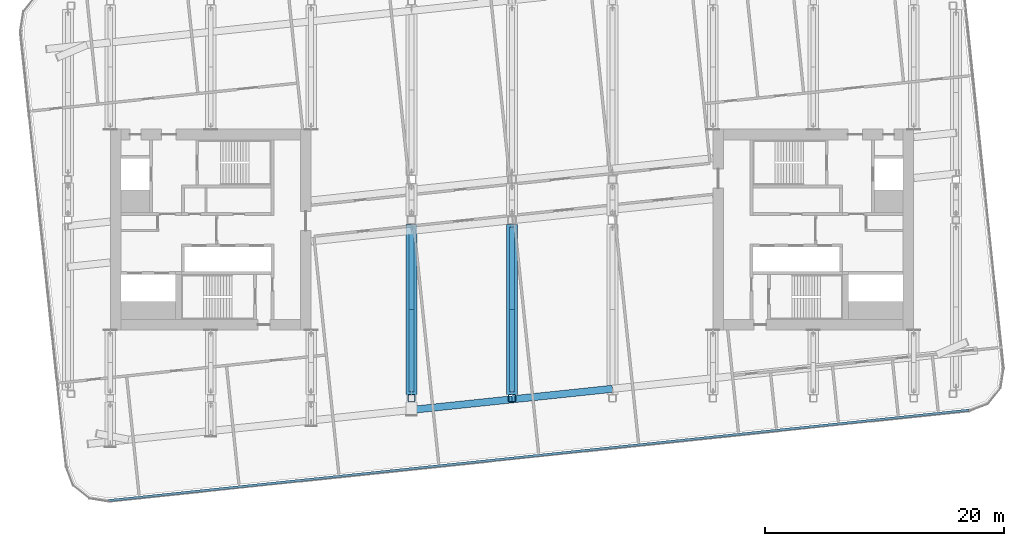
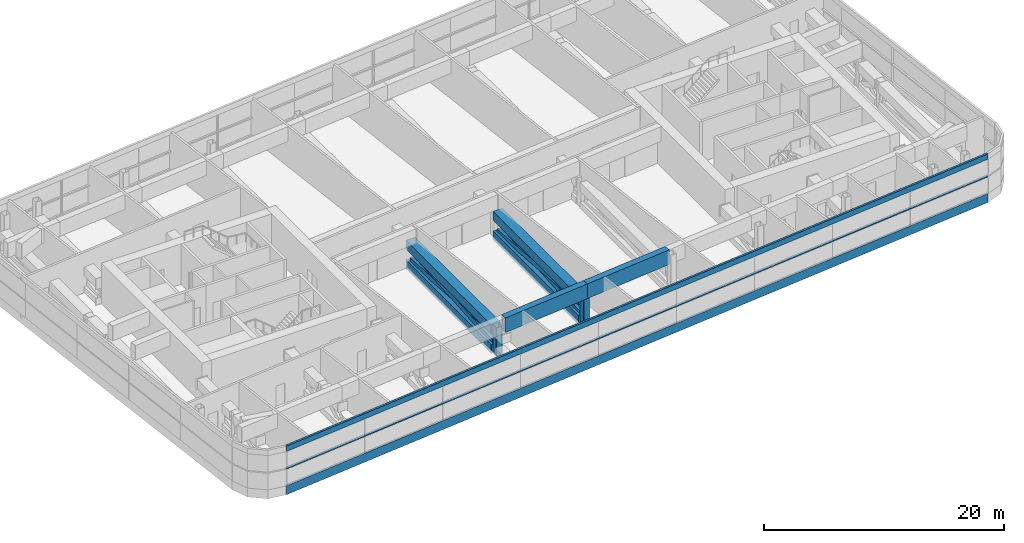
# One storey, part 6 of 33: 13 members, 2 beams, 1 element without a shape of its own.
"""IFC4 building model written with IfcOpenShell, lengths in metres."""

from ifc_helpers import new_model, si_unit, direction, frame, origin, origin_2d, place, context, subcontext, project, spatial, rectangle, hollow_rectangle, extrude, material, layer, layer_set, material_profile, profile_set, type_object, element, aggregate, save


model = new_model("IFC4")

# Units and contexts
model_context = context("Model", 3, precision=1e-05, world=origin(), true_north=direction((0.0, 1.0)))
body_context = subcontext(model_context, "Body", "Model", "MODEL_VIEW")
ifc_project = project(units=[si_unit("LENGTHUNIT", "METRE"), si_unit("AREAUNIT", "SQUARE_METRE"), si_unit("VOLUMEUNIT", "CUBIC_METRE"), si_unit("PLANEANGLEUNIT", "RADIAN"), si_unit("MASSUNIT", "GRAM", prefix="KILO")], contexts=[model_context])

# Site, building, storey
site_placement = place(None, origin())
site = spatial("IfcSite", under=ifc_project, at=site_placement, CompositionType="ELEMENT")
building_placement = place(site_placement, origin())
building = spatial("IfcBuilding", under=site, at=building_placement, Name="Hakoniwa Tower and Hamabe Station Hall", CompositionType="ELEMENT")
storey_placement = place(building_placement, frame((0.0, 0.0, 228.199951171875)))
storey = spatial("IfcBuildingStorey", under=building, at=storey_placement, Name="L65", CompositionType="ELEMENT", Elevation=228.199951171875)

# Curtain wall, members
ifc_material_1 = material(Name="Dark low-e laminated glass", Category="glass")
ifc_layer = layer(ifc_material_1, 0.199951171875)
ifc_layer_set = layer_set([ifc_layer], Name="CW-6 PLANT LOUVRE")
curtain_wall_type = type_object("IfcCurtainWallType", Name="CW-6 PLANT LOUVRE", PredefinedType="NOTDEFINED", material=ifc_layer_set)
curtain_wall_placement = place(storey_placement, origin())
curtain_wall = element("IfcCurtainWall", 1, at=curtain_wall_placement, inside=storey, type_object=curtain_wall_type, Name="CW-6 curtain wall", PredefinedType="NOTDEFINED")
ifc_material_2 = material(Name="Aluminium 6063-T5 black anodised", Category="aluminium")
ifc_material_profile_1 = material_profile(ifc_material_2, rectangle(XDim=0.199951171875, YDim=0.550048828125, at=origin_2d()), Name="CW HEAD BAND 550X200")
ifc_profile_set_1 = profile_set([ifc_material_profile_1], Name="Aluminium 6063-T5 black anodised")
member_type_1 = type_object("IfcMemberType", Name="CW HEAD BAND 550X200", PredefinedType="USERDEFINED", material=ifc_profile_set_1)
member_1_placement = place(storey_placement, frame((-33.729736328125, -22.65380859375, 4.125), z_axis=(0.994521860218, 0.104528797697, 0.0), x_axis=(-0.104528797697, 0.994521860218, 0.0)))
member_1 = element("IfcMember", 2, at=member_1_placement, type_object=member_type_1, Name="CW-6 transom", ObjectType="TRANSOM", PredefinedType="USERDEFINED", context=body_context, shape_type="SweptSolid", body=[
    extrude(rectangle(XDim=0.199951171875, YDim=0.550048828125, at=origin_2d()), origin(), (0.0, 0.0, 1.0), 72.348388671875),
])
ifc_material_3 = material(Name="Aluminium 6063-T5 black anodised", Category="aluminium")
ifc_material_profile_2 = material_profile(ifc_material_3, rectangle(XDim=0.199951171875, YDim=0.1201171875, at=origin_2d()), Name="CW MID TRANSOM 120X200")
ifc_profile_set_2 = profile_set([ifc_material_profile_2], Name="Aluminium 6063-T5 black anodised")
member_type_2 = type_object("IfcMemberType", Name="CW MID TRANSOM 120X200", PredefinedType="USERDEFINED", material=ifc_profile_set_2)
member_2_placement = place(storey_placement, frame((-33.729736328125, -22.65380859375, 2.10009765625), z_axis=(0.994521860218, 0.104528797697, 0.0), x_axis=(-0.104528797697, 0.994521860218, 0.0)))
member_2 = element("IfcMember", 3, at=member_2_placement, type_object=member_type_2, Name="CW-6 transom", ObjectType="TRANSOM", PredefinedType="USERDEFINED", context=body_context, shape_type="SweptSolid", body=[
    extrude(rectangle(XDim=0.199951171875, YDim=0.1201171875, at=origin_2d()), origin(), (0.0, 0.0, 1.0), 72.348388671875),
])
ifc_material_4 = material(Name="Aluminium 6063-T5 black anodised", Category="aluminium")
ifc_material_profile_3 = material_profile(ifc_material_4, rectangle(XDim=0.199951171875, YDim=0.89990234375, at=origin_2d()), Name="CW SLAB-EDGE BAND 900X200")
ifc_profile_set_3 = profile_set([ifc_material_profile_3], Name="Aluminium 6063-T5 black anodised")
member_type_3 = type_object("IfcMemberType", Name="CW SLAB-EDGE BAND 900X200", PredefinedType="USERDEFINED", material=ifc_profile_set_3)
member_3_placement = place(storey_placement, frame((-33.729736328125, -22.65380859375, -0.099853515625), z_axis=(0.994521860218, 0.104528797697, 0.0), x_axis=(-0.104528797697, 0.994521860218, 0.0)))
member_3 = element("IfcMember", 4, at=member_3_placement, type_object=member_type_3, Name="CW-6 transom", ObjectType="TRANSOM", PredefinedType="USERDEFINED", context=body_context, shape_type="SweptSolid", body=[
    extrude(rectangle(XDim=0.199951171875, YDim=0.89990234375, at=origin_2d()), origin(), (0.0, 0.0, 1.0), 72.348388671875),
])
aggregate(curtain_wall, [member_3, member_2, member_1])

# Beams
ifc_material_5 = material(Name="Steel SN490C", Category="steel")
ifc_material_profile_4 = material_profile(ifc_material_5, hollow_rectangle(XDim=0.60009765625, YDim=1.5, WallThickness=0.054931640625, at=origin_2d()), Name="BX-1500x600x55")
ifc_profile_set_4 = profile_set([ifc_material_profile_4], Name="Steel SN490C")
beam_type = type_object("IfcBeamType", Name="TRANSFER GIRDER BX-1500x600x55", PredefinedType="BEAM", material=ifc_profile_set_4)
for number, where, z_axis, x_axis, name in (
    (5, (-8.39990234375, -15.07421875, 3.35009765625), (0.994522545364, 0.10452227879, 0.0), (-0.10452227879, 0.994522545364, 0.0), "Truss T4-S-A5-G4"),
    (6, (0.0, -14.19140625, 3.35009765625), (0.994522545364, 0.10452227879, 0.0), (-0.10452227879, 0.994522545364, 0.0), "Truss T4-S-A5-G5"),
):
    element("IfcBeam", number, at=place(storey_placement, frame(where, z_axis=z_axis, x_axis=x_axis)), inside=storey, type_object=beam_type, Name=name, PredefinedType="BEAM", context=body_context, shape_type="SweptSolid", body=[
        extrude(hollow_rectangle(XDim=0.60009765625, YDim=1.5, WallThickness=0.054931640625, at=origin_2d()), origin(), (0.0, 0.0, 1.0), 8.446044921875),
    ])

# Members
ifc_material_6 = material(Name="Steel SN490C", Category="steel")
ifc_material_profile_5 = material_profile(ifc_material_6, hollow_rectangle(XDim=0.89990234375, YDim=0.89990234375, WallThickness=0.035888671875, at=origin_2d()), Name="BX-900x900x36")
ifc_profile_set_5 = profile_set([ifc_material_profile_5], Name="Steel SN490C")
member_type_4 = type_object("IfcMemberType", Name="TRUSS CHORD BX-900x900x36", PredefinedType="CHORD", material=ifc_profile_set_5)
for number, where, z_axis, x_axis, name in (
    (7, (-8.39990234375, -13.800048828125, 0.150146484375), (0.0, 1.0, 0.0), (-1.0, 0.0, 0.0), "Truss T4-09-BC01"),
    (8, (-8.39990234375, -13.800048828125, 2.150146484375), (0.0, 1.0, 0.0), (-1.0, 0.0, 0.0), "Truss T4-09-TC01"),
    (9, (0.0, -13.800048828125, 0.150146484375), (0.0, 1.0, 0.0), (-1.0, 0.0, 0.0), "Truss T4-10-BC01"),
    (10, (0.0, -13.800048828125, 2.150146484375), (0.0, 1.0, 0.0), (-1.0, 0.0, 0.0), "Truss T4-10-TC01"),
):
    element("IfcMember", number, at=place(storey_placement, frame(where, z_axis=z_axis, x_axis=x_axis)), inside=storey, type_object=member_type_4, Name=name, PredefinedType="CHORD", context=body_context, shape_type="SweptSolid", body=[
        extrude(hollow_rectangle(XDim=0.89990234375, YDim=0.89990234375, WallThickness=0.035888671875, at=origin_2d()), origin(), (0.0, 0.0, 1.0), 14.25),
    ])
ifc_material_7 = material(Name="Steel SN490C", Category="steel")
ifc_material_profile_6 = material_profile(ifc_material_7, hollow_rectangle(XDim=0.39990234375, YDim=0.5, WallThickness=0.02197265625, at=origin_2d()), Name="BX-500x400x22")
ifc_profile_set_6 = profile_set([ifc_material_profile_6], Name="Steel SN490C")
member_type_5 = type_object("IfcMemberType", Name="TRUSS DIAGONAL BX-500x400x22", PredefinedType="BRACE", material=ifc_profile_set_6)
for number, where, z_axis, x_axis, name in (
    (11, (-8.39990234375, -13.550048828125, 0.60009765625), (0.0, 0.996816122637, 0.079734670321), (-1.0, 0.0, 0.0), "Truss T4-09-D01a"),
    (12, (-8.39990234375, -13.550048828125, 1.699951171875), (0.0, 0.996816122637, -0.079734670321), (-1.0, 0.0, 0.0), "Truss T4-09-D01b"),
    (13, (0.0, -13.550048828125, 0.60009765625), (0.0, 0.996816122637, 0.079734670321), (-1.0, 0.0, 0.0), "Truss T4-10-D01a"),
    (14, (0.0, -13.550048828125, 1.699951171875), (0.0, 0.996816122637, -0.079734670321), (-1.0, 0.0, 0.0), "Truss T4-10-D01b"),
):
    element("IfcMember", number, at=place(storey_placement, frame(where, z_axis=z_axis, x_axis=x_axis)), inside=storey, type_object=member_type_5, Name=name, PredefinedType="BRACE", context=body_context, shape_type="SweptSolid", body=[
        extrude(hollow_rectangle(XDim=0.39990234375, YDim=0.5, WallThickness=0.02197265625, at=origin_2d()), origin(), (0.0, 0.0, 1.0), 13.7939453125),
    ])
ifc_material_8 = material(Name="Steel BCP325", Category="steel")
ifc_material_profile_7 = material_profile(ifc_material_8, hollow_rectangle(XDim=0.60009765625, YDim=0.60009765625, WallThickness=0.02490234375, InnerFilletRadius=0.03759765625, OuterFilletRadius=0.0625, at=origin_2d()), Name="BCP-600x600x25")
ifc_profile_set_7 = profile_set([ifc_material_profile_7], Name="Steel BCP325")
member_type_6 = type_object("IfcMemberType", Name="TRUSS POST BCP-600x600x25", PredefinedType="POST", material=ifc_profile_set_7)
for number, where, z_axis, x_axis, name in (
    (15, (-8.39990234375, -14.10009765625, -0.300048828125), (0.0, 0.0, 1.0), (1.0, 0.0, 0.0), "Truss T4-09-P01"),
    (16, (0.0, -14.10009765625, -0.300048828125), (0.0, 0.0, 1.0), (1.0, 0.0, 0.0), "Truss T4-10-P01"),
):
    element("IfcMember", number, at=place(storey_placement, frame(where, z_axis=z_axis, x_axis=x_axis)), inside=storey, type_object=member_type_6, Name=name, PredefinedType="POST", context=body_context, shape_type="SweptSolid", body=[
        extrude(hollow_rectangle(XDim=0.60009765625, YDim=0.60009765625, WallThickness=0.02490234375, InnerFilletRadius=0.03759765625, OuterFilletRadius=0.0625, at=origin_2d()), origin(), (0.0, 0.0, 1.0), 2.900146484375),
    ])

save(model, "model.ifc")
